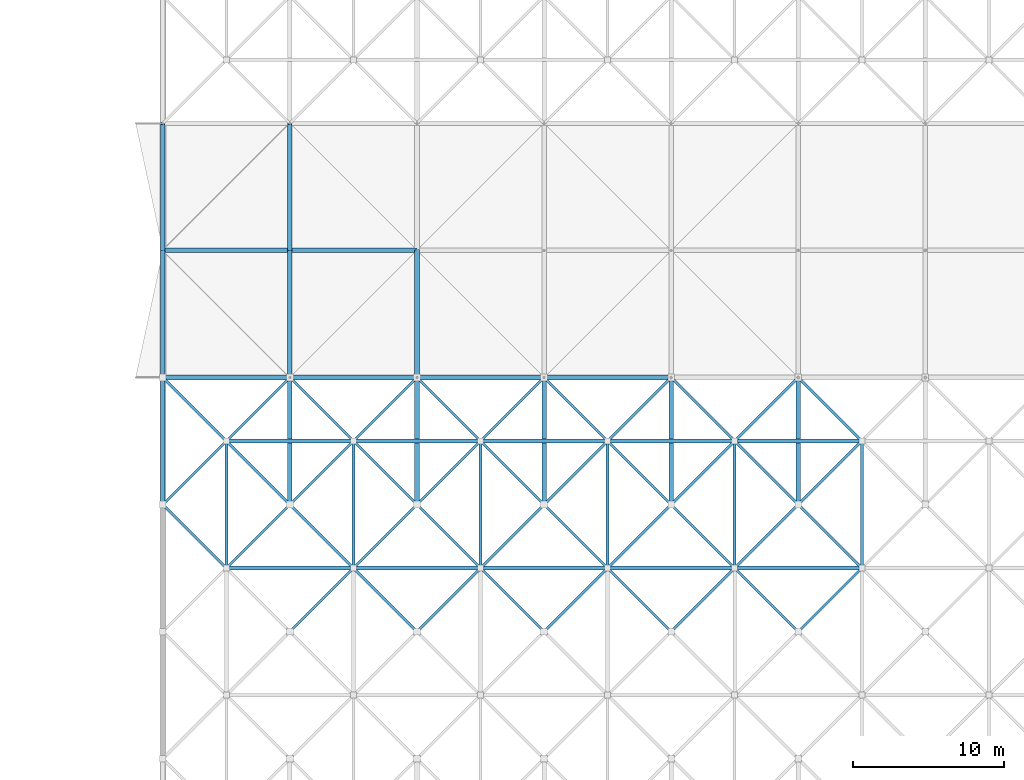
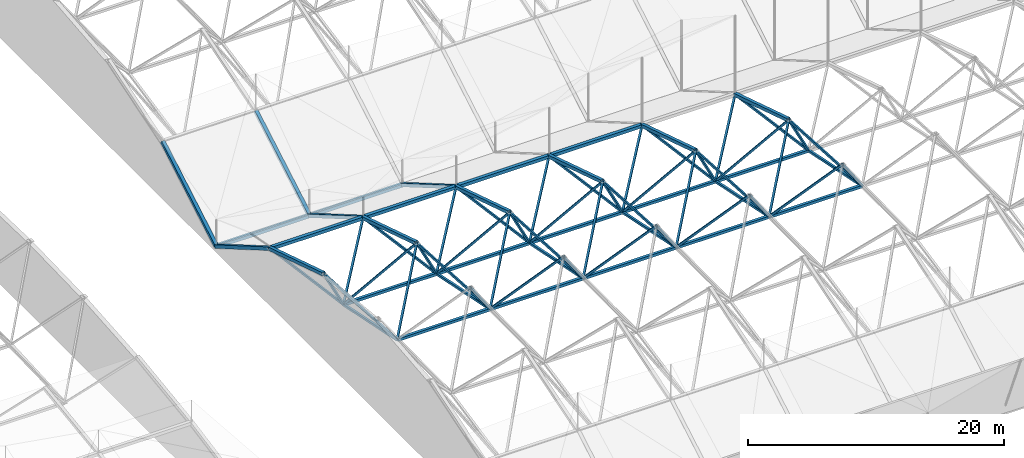
# One storey, part 10 of 111: 75 members.
"""IFC4 building model written with IfcOpenShell, lengths in metres."""

from ifc_helpers import new_model, si_unit, direction, frame, origin, origin_2d, place, context, subcontext, project, spatial, hollow_rectangle, extrude, material, material_profile, profile_set, type_object, element, save


model = new_model("IFC4")

# Units and contexts
model_context = context("Model", 3, precision=1e-05, world=origin(), true_north=direction((0.0, 1.0)))
body_context = subcontext(model_context, "Body", "Model", "MODEL_VIEW")
ifc_project = project(units=[si_unit("LENGTHUNIT", "METRE"), si_unit("AREAUNIT", "SQUARE_METRE"), si_unit("VOLUMEUNIT", "CUBIC_METRE"), si_unit("PLANEANGLEUNIT", "RADIAN"), si_unit("MASSUNIT", "GRAM", prefix="KILO")], contexts=[model_context])

# Site, building, storey
site_placement = place(None, origin())
site = spatial("IfcSite", under=ifc_project, at=site_placement, CompositionType="ELEMENT")
building_placement = place(site_placement, origin())
building = spatial("IfcBuilding", under=site, at=building_placement, Name="Rain Tree Exposition and Congress Centre", CompositionType="ELEMENT")
storey_placement = place(building_placement, frame((0.0, 0.0, 19.5)))
storey = spatial("IfcBuildingStorey", under=building, at=storey_placement, Name="RF", CompositionType="ELEMENT", Elevation=19.5)

# Members
ifc_material_1 = material(Name="Steel S355J2H", Category="steel")
ifc_material_profile_1 = material_profile(ifc_material_1, hollow_rectangle(XDim=0.175048828125, YDim=0.175048828125, WallThickness=0.006103515625, at=origin_2d()), Name="RHS 175x175x6")
ifc_profile_set_1 = profile_set([ifc_material_profile_1], Name="Steel S355J2H")
member_type_1 = type_object("IfcMemberType", Name="Steel brace member RHS 175x175x6", PredefinedType="BRACE", material=ifc_profile_set_1)
for number, where, z_axis, x_axis, name in (
    (1, (147.0, 130.199951171875, 2.68896484375), (-0.531497919506, 0.531497919506, 0.65956040142), (-0.707106781187, -0.707106781187, 0.0), "Diagonal 528"),
    (2, (147.0, 130.199951171875, 2.68896484375), (0.531497919506, 0.531497919506, 0.65956040142), (-0.707106781187, 0.707106781187, 0.0), "Diagonal 529"),
):
    element("IfcMember", number, at=place(storey_placement, frame(where, z_axis=z_axis, x_axis=x_axis)), inside=storey, type_object=member_type_1, Name=name, PredefinedType="BRACE", context=body_context, shape_type="SweptSolid", body=[
        extrude(hollow_rectangle(XDim=0.175048828125, YDim=0.175048828125, WallThickness=0.006103515625, at=origin_2d()), origin(), (0.0, 0.0, 1.0), 7.902099609375),
    ])
member_1_placement = place(storey_placement, frame((155.39990234375, 130.199951171875, 2.68896484375), z_axis=(-0.494916318018, -0.494916318018, 0.714223827885), x_axis=(0.707106781187, -0.707106781187, 0.0)))
element("IfcMember", 3, at=member_1_placement, inside=storey, type_object=member_type_1, Name="Diagonal 532", PredefinedType="BRACE", context=body_context, shape_type="SweptSolid", body=[
    extrude(hollow_rectangle(XDim=0.175048828125, YDim=0.175048828125, WallThickness=0.006103515625, at=origin_2d()), origin(), (0.0, 0.0, 1.0), 8.486083984375),
])
member_2_placement = place(storey_placement, frame((155.39990234375, 130.199951171875, 2.68896484375), z_axis=(0.494938039954, -0.494909271177, 0.714213658445), x_axis=(0.70708622964, 0.707127332136, 0.0)))
element("IfcMember", 4, at=member_2_placement, inside=storey, type_object=member_type_1, Name="Diagonal 533", PredefinedType="BRACE", context=body_context, shape_type="SweptSolid", body=[
    extrude(hollow_rectangle(XDim=0.175048828125, YDim=0.175048828125, WallThickness=0.006103515625, at=origin_2d()), origin(), (0.0, 0.0, 1.0), 8.486328125),
])
member_3_placement = place(storey_placement, frame((155.39990234375, 130.199951171875, 2.68896484375), z_axis=(-0.531497919506, 0.531497919506, 0.65956040142), x_axis=(-0.707106781187, -0.707106781187, 0.0)))
element("IfcMember", 5, at=member_3_placement, inside=storey, type_object=member_type_1, Name="Diagonal 534", PredefinedType="BRACE", context=body_context, shape_type="SweptSolid", body=[
    extrude(hollow_rectangle(XDim=0.175048828125, YDim=0.175048828125, WallThickness=0.006103515625, at=origin_2d()), origin(), (0.0, 0.0, 1.0), 7.902099609375),
])
member_4_placement = place(storey_placement, frame((155.39990234375, 130.199951171875, 2.68896484375), z_axis=(0.531520086899, 0.531489191753, 0.659549570747), x_axis=(-0.70708622964, 0.707127332136, 0.0)))
element("IfcMember", 6, at=member_4_placement, inside=storey, type_object=member_type_1, Name="Diagonal 535", PredefinedType="BRACE", context=body_context, shape_type="SweptSolid", body=[
    extrude(hollow_rectangle(XDim=0.175048828125, YDim=0.175048828125, WallThickness=0.006103515625, at=origin_2d()), origin(), (0.0, 0.0, 1.0), 7.90234375),
])
for number, where, z_axis, x_axis, name in (
    (7, (163.800048828125, 130.199951171875, 2.68896484375), (-0.494916318018, -0.494916318018, 0.714223827885), (0.707106781187, -0.707106781187, 0.0), "Diagonal 538"),
    (8, (163.800048828125, 130.199951171875, 2.68896484375), (0.494916318018, -0.494916318018, 0.714223827885), (0.707106781187, 0.707106781187, 0.0), "Diagonal 539"),
):
    element("IfcMember", number, at=place(storey_placement, frame(where, z_axis=z_axis, x_axis=x_axis)), inside=storey, type_object=member_type_1, Name=name, PredefinedType="BRACE", context=body_context, shape_type="SweptSolid", body=[
        extrude(hollow_rectangle(XDim=0.175048828125, YDim=0.175048828125, WallThickness=0.006103515625, at=origin_2d()), origin(), (0.0, 0.0, 1.0), 8.486083984375),
    ])
for number, where, z_axis, x_axis, name in (
    (9, (163.800048828125, 130.199951171875, 2.68896484375), (-0.531497919506, 0.531497919506, 0.65956040142), (-0.707106781187, -0.707106781187, 0.0), "Diagonal 540"),
    (10, (163.800048828125, 130.199951171875, 2.68896484375), (0.531497919506, 0.531497919506, 0.65956040142), (-0.707106781187, 0.707106781187, 0.0), "Diagonal 541"),
):
    element("IfcMember", number, at=place(storey_placement, frame(where, z_axis=z_axis, x_axis=x_axis)), inside=storey, type_object=member_type_1, Name=name, PredefinedType="BRACE", context=body_context, shape_type="SweptSolid", body=[
        extrude(hollow_rectangle(XDim=0.175048828125, YDim=0.175048828125, WallThickness=0.006103515625, at=origin_2d()), origin(), (0.0, 0.0, 1.0), 7.902099609375),
    ])
for number, where, z_axis, x_axis, name in (
    (11, (172.199951171875, 130.199951171875, 2.68896484375), (-0.494916318018, -0.494916318018, 0.714223827885), (0.707106781187, -0.707106781187, 0.0), "Diagonal 544"),
    (12, (172.199951171875, 130.199951171875, 2.68896484375), (0.494916318018, -0.494916318018, 0.714223827885), (0.707106781187, 0.707106781187, 0.0), "Diagonal 545"),
):
    element("IfcMember", number, at=place(storey_placement, frame(where, z_axis=z_axis, x_axis=x_axis)), inside=storey, type_object=member_type_1, Name=name, PredefinedType="BRACE", context=body_context, shape_type="SweptSolid", body=[
        extrude(hollow_rectangle(XDim=0.175048828125, YDim=0.175048828125, WallThickness=0.006103515625, at=origin_2d()), origin(), (0.0, 0.0, 1.0), 8.486083984375),
    ])
for number, where, z_axis, x_axis, name in (
    (13, (172.199951171875, 130.199951171875, 2.68896484375), (-0.531497919506, 0.531497919506, 0.65956040142), (-0.707106781187, -0.707106781187, 0.0), "Diagonal 546"),
    (14, (172.199951171875, 130.199951171875, 2.68896484375), (0.531497919506, 0.531497919506, 0.65956040142), (-0.707106781187, 0.707106781187, 0.0), "Diagonal 547"),
):
    element("IfcMember", number, at=place(storey_placement, frame(where, z_axis=z_axis, x_axis=x_axis)), inside=storey, type_object=member_type_1, Name=name, PredefinedType="BRACE", context=body_context, shape_type="SweptSolid", body=[
        extrude(hollow_rectangle(XDim=0.175048828125, YDim=0.175048828125, WallThickness=0.006103515625, at=origin_2d()), origin(), (0.0, 0.0, 1.0), 7.902099609375),
    ])
member_5_placement = place(storey_placement, frame((180.60009765625, 130.199951171875, 2.68896484375), z_axis=(-0.494938039954, -0.494909271177, 0.714213658445), x_axis=(0.70708622964, -0.707127332136, 0.0)))
element("IfcMember", 15, at=member_5_placement, inside=storey, type_object=member_type_1, Name="Diagonal 550", PredefinedType="BRACE", context=body_context, shape_type="SweptSolid", body=[
    extrude(hollow_rectangle(XDim=0.175048828125, YDim=0.175048828125, WallThickness=0.006103515625, at=origin_2d()), origin(), (0.0, 0.0, 1.0), 8.486328125),
])
member_6_placement = place(storey_placement, frame((180.60009765625, 130.199951171875, 2.68896484375), z_axis=(0.494916318018, -0.494916318018, 0.714223827885), x_axis=(0.707106781187, 0.707106781187, 0.0)))
element("IfcMember", 16, at=member_6_placement, inside=storey, type_object=member_type_1, Name="Diagonal 551", PredefinedType="BRACE", context=body_context, shape_type="SweptSolid", body=[
    extrude(hollow_rectangle(XDim=0.175048828125, YDim=0.175048828125, WallThickness=0.006103515625, at=origin_2d()), origin(), (0.0, 0.0, 1.0), 8.486083984375),
])
member_7_placement = place(storey_placement, frame((180.60009765625, 130.199951171875, 2.68896484375), z_axis=(-0.531520086899, 0.531489191753, 0.659549570747), x_axis=(-0.70708622964, -0.707127332136, 0.0)))
element("IfcMember", 17, at=member_7_placement, inside=storey, type_object=member_type_1, Name="Diagonal 552", PredefinedType="BRACE", context=body_context, shape_type="SweptSolid", body=[
    extrude(hollow_rectangle(XDim=0.175048828125, YDim=0.175048828125, WallThickness=0.006103515625, at=origin_2d()), origin(), (0.0, 0.0, 1.0), 7.90234375),
])
member_8_placement = place(storey_placement, frame((180.60009765625, 130.199951171875, 2.68896484375), z_axis=(0.531497919506, 0.531497919506, 0.65956040142), x_axis=(-0.707106781187, 0.707106781187, 0.0)))
element("IfcMember", 18, at=member_8_placement, inside=storey, type_object=member_type_1, Name="Diagonal 553", PredefinedType="BRACE", context=body_context, shape_type="SweptSolid", body=[
    extrude(hollow_rectangle(XDim=0.175048828125, YDim=0.175048828125, WallThickness=0.006103515625, at=origin_2d()), origin(), (0.0, 0.0, 1.0), 7.902099609375),
])
member_9_placement = place(storey_placement, frame((189.0, 130.199951171875, 2.68896484375), z_axis=(-0.494916318018, -0.494916318018, 0.714223827885), x_axis=(0.707106781187, -0.707106781187, 0.0)))
element("IfcMember", 19, at=member_9_placement, inside=storey, type_object=member_type_1, Name="Diagonal 556", PredefinedType="BRACE", context=body_context, shape_type="SweptSolid", body=[
    extrude(hollow_rectangle(XDim=0.175048828125, YDim=0.175048828125, WallThickness=0.006103515625, at=origin_2d()), origin(), (0.0, 0.0, 1.0), 8.486083984375),
])
member_10_placement = place(storey_placement, frame((189.0, 130.199951171875, 2.68896484375), z_axis=(-0.531497919506, 0.531497919506, 0.65956040142), x_axis=(-0.707106781187, -0.707106781187, 0.0)))
element("IfcMember", 20, at=member_10_placement, inside=storey, type_object=member_type_1, Name="Diagonal 558", PredefinedType="BRACE", context=body_context, shape_type="SweptSolid", body=[
    extrude(hollow_rectangle(XDim=0.175048828125, YDim=0.175048828125, WallThickness=0.006103515625, at=origin_2d()), origin(), (0.0, 0.0, 1.0), 7.902099609375),
])
for number, where, z_axis, x_axis, name in (
    (21, (147.0, 138.60009765625, 0.965087890625), (-0.459935103496, -0.459961839245, 0.75953591555), (0.707127332136, -0.70708622964, 0.0), "Diagonal 597"),
    (22, (147.0, 138.60009765625, 0.965087890625), (0.459935103496, -0.459961839245, 0.75953591555), (0.707127332136, 0.70708622964, 0.0), "Diagonal 598"),
):
    element("IfcMember", number, at=place(storey_placement, frame(where, z_axis=z_axis, x_axis=x_axis)), inside=storey, type_object=member_type_1, Name=name, PredefinedType="BRACE", context=body_context, shape_type="SweptSolid", body=[
        extrude(hollow_rectangle(XDim=0.175048828125, YDim=0.175048828125, WallThickness=0.006103515625, at=origin_2d()), origin(), (0.0, 0.0, 1.0), 9.131591796875),
    ])
for number, where, z_axis, x_axis, name in (
    (23, (147.0, 138.60009765625, 0.965087890625), (-0.573737145755, 0.573737145755, 0.584509516742), (-0.707106781187, -0.707106781187, 0.0), "Diagonal 599"),
    (24, (147.0, 138.60009765625, 0.965087890625), (0.573737145755, 0.573737145755, 0.584509516742), (-0.707106781187, 0.707106781187, 0.0), "Diagonal 600"),
):
    element("IfcMember", number, at=place(storey_placement, frame(where, z_axis=z_axis, x_axis=x_axis)), inside=storey, type_object=member_type_1, Name=name, PredefinedType="BRACE", context=body_context, shape_type="SweptSolid", body=[
        extrude(hollow_rectangle(XDim=0.175048828125, YDim=0.175048828125, WallThickness=0.006103515625, at=origin_2d()), origin(), (0.0, 0.0, 1.0), 7.3203125),
    ])
member_11_placement = place(storey_placement, frame((155.39990234375, 138.60009765625, 0.965087890625), z_axis=(-0.459935103496, -0.459961839245, 0.75953591555), x_axis=(0.707127332136, -0.70708622964, 0.0)))
element("IfcMember", 25, at=member_11_placement, inside=storey, type_object=member_type_1, Name="Diagonal 603", PredefinedType="BRACE", context=body_context, shape_type="SweptSolid", body=[
    extrude(hollow_rectangle(XDim=0.175048828125, YDim=0.175048828125, WallThickness=0.006103515625, at=origin_2d()), origin(), (0.0, 0.0, 1.0), 9.131591796875),
])
member_12_placement = place(storey_placement, frame((155.39990234375, 138.60009765625, 0.965087890625), z_axis=(0.459956183168, -0.459956183168, 0.759526575658), x_axis=(0.707106781187, 0.707106781187, 0.0)))
element("IfcMember", 26, at=member_12_placement, inside=storey, type_object=member_type_1, Name="Diagonal 604", PredefinedType="BRACE", context=body_context, shape_type="SweptSolid", body=[
    extrude(hollow_rectangle(XDim=0.175048828125, YDim=0.175048828125, WallThickness=0.006103515625, at=origin_2d()), origin(), (0.0, 0.0, 1.0), 9.1318359375),
])
member_13_placement = place(storey_placement, frame((155.39990234375, 138.60009765625, 0.965087890625), z_axis=(-0.573737145755, 0.573737145755, 0.584509516742), x_axis=(-0.707106781187, -0.707106781187, 0.0)))
element("IfcMember", 27, at=member_13_placement, inside=storey, type_object=member_type_1, Name="Diagonal 605", PredefinedType="BRACE", context=body_context, shape_type="SweptSolid", body=[
    extrude(hollow_rectangle(XDim=0.175048828125, YDim=0.175048828125, WallThickness=0.006103515625, at=origin_2d()), origin(), (0.0, 0.0, 1.0), 7.3203125),
])
member_14_placement = place(storey_placement, frame((155.39990234375, 138.60009765625, 0.965087890625), z_axis=(0.573759517816, 0.573726167461, 0.584498332321), x_axis=(-0.70708622964, 0.707127332136, 0.0)))
element("IfcMember", 28, at=member_14_placement, inside=storey, type_object=member_type_1, Name="Diagonal 606", PredefinedType="BRACE", context=body_context, shape_type="SweptSolid", body=[
    extrude(hollow_rectangle(XDim=0.175048828125, YDim=0.175048828125, WallThickness=0.006103515625, at=origin_2d()), origin(), (0.0, 0.0, 1.0), 7.320556640625),
])
for number, where, z_axis, x_axis, name in (
    (29, (163.800048828125, 138.60009765625, 0.965087890625), (-0.459935103496, -0.459961839245, 0.75953591555), (0.707127332136, -0.70708622964, 0.0), "Diagonal 609"),
    (30, (163.800048828125, 138.60009765625, 0.965087890625), (0.459935103496, -0.459961839245, 0.75953591555), (0.707127332136, 0.70708622964, 0.0), "Diagonal 610"),
):
    element("IfcMember", number, at=place(storey_placement, frame(where, z_axis=z_axis, x_axis=x_axis)), inside=storey, type_object=member_type_1, Name=name, PredefinedType="BRACE", context=body_context, shape_type="SweptSolid", body=[
        extrude(hollow_rectangle(XDim=0.175048828125, YDim=0.175048828125, WallThickness=0.006103515625, at=origin_2d()), origin(), (0.0, 0.0, 1.0), 9.131591796875),
    ])
for number, where, z_axis, x_axis, name in (
    (31, (163.800048828125, 138.60009765625, 0.965087890625), (-0.573737145755, 0.573737145755, 0.584509516742), (-0.707106781187, -0.707106781187, 0.0), "Diagonal 611"),
    (32, (163.800048828125, 138.60009765625, 0.965087890625), (0.573737145755, 0.573737145755, 0.584509516742), (-0.707106781187, 0.707106781187, 0.0), "Diagonal 612"),
):
    element("IfcMember", number, at=place(storey_placement, frame(where, z_axis=z_axis, x_axis=x_axis)), inside=storey, type_object=member_type_1, Name=name, PredefinedType="BRACE", context=body_context, shape_type="SweptSolid", body=[
        extrude(hollow_rectangle(XDim=0.175048828125, YDim=0.175048828125, WallThickness=0.006103515625, at=origin_2d()), origin(), (0.0, 0.0, 1.0), 7.3203125),
    ])
for number, where, z_axis, x_axis, name in (
    (33, (172.199951171875, 138.60009765625, 0.965087890625), (-0.459935103496, -0.459961839245, 0.75953591555), (0.707127332136, -0.70708622964, 0.0), "Diagonal 615"),
    (34, (172.199951171875, 138.60009765625, 0.965087890625), (0.459935103496, -0.459961839245, 0.75953591555), (0.707127332136, 0.70708622964, 0.0), "Diagonal 616"),
):
    element("IfcMember", number, at=place(storey_placement, frame(where, z_axis=z_axis, x_axis=x_axis)), inside=storey, type_object=member_type_1, Name=name, PredefinedType="BRACE", context=body_context, shape_type="SweptSolid", body=[
        extrude(hollow_rectangle(XDim=0.175048828125, YDim=0.175048828125, WallThickness=0.006103515625, at=origin_2d()), origin(), (0.0, 0.0, 1.0), 9.131591796875),
    ])
for number, where, z_axis, x_axis, name in (
    (35, (172.199951171875, 138.60009765625, 0.965087890625), (-0.573737145755, 0.573737145755, 0.584509516742), (-0.707106781187, -0.707106781187, 0.0), "Diagonal 617"),
    (36, (172.199951171875, 138.60009765625, 0.965087890625), (0.573737145755, 0.573737145755, 0.584509516742), (-0.707106781187, 0.707106781187, 0.0), "Diagonal 618"),
):
    element("IfcMember", number, at=place(storey_placement, frame(where, z_axis=z_axis, x_axis=x_axis)), inside=storey, type_object=member_type_1, Name=name, PredefinedType="BRACE", context=body_context, shape_type="SweptSolid", body=[
        extrude(hollow_rectangle(XDim=0.175048828125, YDim=0.175048828125, WallThickness=0.006103515625, at=origin_2d()), origin(), (0.0, 0.0, 1.0), 7.3203125),
    ])
member_15_placement = place(storey_placement, frame((180.60009765625, 138.60009765625, 0.965087890625), z_axis=(-0.459956183168, -0.459956183168, 0.759526575658), x_axis=(0.707106781187, -0.707106781187, 0.0)))
element("IfcMember", 37, at=member_15_placement, inside=storey, type_object=member_type_1, Name="Diagonal 621", PredefinedType="BRACE", context=body_context, shape_type="SweptSolid", body=[
    extrude(hollow_rectangle(XDim=0.175048828125, YDim=0.175048828125, WallThickness=0.006103515625, at=origin_2d()), origin(), (0.0, 0.0, 1.0), 9.1318359375),
])
member_16_placement = place(storey_placement, frame((180.60009765625, 138.60009765625, 0.965087890625), z_axis=(0.459935103496, -0.459961839245, 0.75953591555), x_axis=(0.707127332136, 0.70708622964, 0.0)))
element("IfcMember", 38, at=member_16_placement, inside=storey, type_object=member_type_1, Name="Diagonal 622", PredefinedType="BRACE", context=body_context, shape_type="SweptSolid", body=[
    extrude(hollow_rectangle(XDim=0.175048828125, YDim=0.175048828125, WallThickness=0.006103515625, at=origin_2d()), origin(), (0.0, 0.0, 1.0), 9.131591796875),
])
member_17_placement = place(storey_placement, frame((180.60009765625, 138.60009765625, 0.965087890625), z_axis=(-0.573759517816, 0.573726167461, 0.584498332321), x_axis=(-0.70708622964, -0.707127332136, 0.0)))
element("IfcMember", 39, at=member_17_placement, inside=storey, type_object=member_type_1, Name="Diagonal 623", PredefinedType="BRACE", context=body_context, shape_type="SweptSolid", body=[
    extrude(hollow_rectangle(XDim=0.175048828125, YDim=0.175048828125, WallThickness=0.006103515625, at=origin_2d()), origin(), (0.0, 0.0, 1.0), 7.320556640625),
])
member_18_placement = place(storey_placement, frame((180.60009765625, 138.60009765625, 0.965087890625), z_axis=(0.573737145755, 0.573737145755, 0.584509516742), x_axis=(-0.707106781187, 0.707106781187, 0.0)))
element("IfcMember", 40, at=member_18_placement, inside=storey, type_object=member_type_1, Name="Diagonal 624", PredefinedType="BRACE", context=body_context, shape_type="SweptSolid", body=[
    extrude(hollow_rectangle(XDim=0.175048828125, YDim=0.175048828125, WallThickness=0.006103515625, at=origin_2d()), origin(), (0.0, 0.0, 1.0), 7.3203125),
])
member_19_placement = place(storey_placement, frame((189.0, 138.60009765625, 0.965087890625), z_axis=(-0.459935103496, -0.459961839245, 0.75953591555), x_axis=(0.707127332136, -0.70708622964, 0.0)))
element("IfcMember", 41, at=member_19_placement, inside=storey, type_object=member_type_1, Name="Diagonal 627", PredefinedType="BRACE", context=body_context, shape_type="SweptSolid", body=[
    extrude(hollow_rectangle(XDim=0.175048828125, YDim=0.175048828125, WallThickness=0.006103515625, at=origin_2d()), origin(), (0.0, 0.0, 1.0), 9.131591796875),
])
member_20_placement = place(storey_placement, frame((189.0, 138.60009765625, 0.965087890625), z_axis=(-0.573737145755, 0.573737145755, 0.584509516742), x_axis=(-0.707106781187, -0.707106781187, 0.0)))
element("IfcMember", 42, at=member_20_placement, inside=storey, type_object=member_type_1, Name="Diagonal 629", PredefinedType="BRACE", context=body_context, shape_type="SweptSolid", body=[
    extrude(hollow_rectangle(XDim=0.175048828125, YDim=0.175048828125, WallThickness=0.006103515625, at=origin_2d()), origin(), (0.0, 0.0, 1.0), 7.3203125),
])
ifc_material_2 = material(Name="Steel S355J2H", Category="steel")
ifc_material_profile_2 = material_profile(ifc_material_2, hollow_rectangle(XDim=0.199951171875, YDim=0.199951171875, WallThickness=0.009033203125, at=origin_2d()), Name="RHS 200x200x9")
ifc_profile_set_2 = profile_set([ifc_material_profile_2], Name="Steel S355J2H")
member_type_2 = type_object("IfcMemberType", Name="Steel chord member RHS 200x200x9", PredefinedType="CHORD", material=ifc_profile_set_2)
for number, where, z_axis, x_axis, name in (
    (43, (147.0, 130.199951171875, 2.68896484375), (0.0, 0.979585021781, -0.201030308914), (-1.0, 0.0, 0.0), "Bottom chord 531"),
    (44, (155.39990234375, 130.199951171875, 2.68896484375), (0.0, 0.979585021781, -0.201030308914), (-1.0, 0.0, 0.0), "Bottom chord 537"),
    (45, (163.800048828125, 130.199951171875, 2.68896484375), (0.0, 0.979585021781, -0.201030308914), (-1.0, 0.0, 0.0), "Bottom chord 543"),
    (46, (172.199951171875, 130.199951171875, 2.68896484375), (0.0, 0.979585021781, -0.201030308914), (-1.0, 0.0, 0.0), "Bottom chord 549"),
    (47, (180.60009765625, 130.199951171875, 2.68896484375), (0.0, 0.979585021781, -0.201030308914), (-1.0, 0.0, 0.0), "Bottom chord 555"),
    (48, (189.0, 130.199951171875, 2.68896484375), (0.0, 0.979585021781, -0.201030308914), (-1.0, 0.0, 0.0), "Bottom chord 561"),
):
    element("IfcMember", number, at=place(storey_placement, frame(where, z_axis=z_axis, x_axis=x_axis)), inside=storey, type_object=member_type_2, Name=name, PredefinedType="CHORD", context=body_context, shape_type="SweptSolid", body=[
        extrude(hollow_rectangle(XDim=0.199951171875, YDim=0.199951171875, WallThickness=0.009033203125, at=origin_2d()), origin(), (0.0, 0.0, 1.0), 8.5751953125),
    ])
ifc_material_3 = material(Name="Steel S355J2H", Category="steel")
ifc_material_profile_3 = material_profile(ifc_material_3, hollow_rectangle(XDim=0.25, YDim=0.25, WallThickness=0.006103515625, at=origin_2d()), Name="RHS 250x250x6")
ifc_profile_set_3 = profile_set([ifc_material_profile_3], Name="Steel S355J2H")
member_type_3 = type_object("IfcMemberType", Name="Steel chord member RHS 250x250x6", PredefinedType="CHORD", material=ifc_profile_set_3)
member_21_placement = place(storey_placement, frame((147.0, 130.199951171875, 2.68896484375), z_axis=(1.0, 0.0, 0.0), x_axis=(0.0, 1.0, 0.0)))
element("IfcMember", 49, at=member_21_placement, inside=storey, type_object=member_type_3, Name="Bottom chord 530", PredefinedType="CHORD", context=body_context, shape_type="SweptSolid", body=[
    extrude(hollow_rectangle(XDim=0.25, YDim=0.25, WallThickness=0.006103515625, at=origin_2d()), origin(), (0.0, 0.0, 1.0), 8.39990234375),
])
member_22_placement = place(storey_placement, frame((155.39990234375, 130.199951171875, 2.68896484375), z_axis=(1.0, 0.0, 0.0), x_axis=(0.0, 1.0, 0.0)))
element("IfcMember", 50, at=member_22_placement, inside=storey, type_object=member_type_3, Name="Bottom chord 536", PredefinedType="CHORD", context=body_context, shape_type="SweptSolid", body=[
    extrude(hollow_rectangle(XDim=0.25, YDim=0.25, WallThickness=0.006103515625, at=origin_2d()), origin(), (0.0, 0.0, 1.0), 8.400146484375),
])
member_23_placement = place(storey_placement, frame((163.800048828125, 130.199951171875, 2.68896484375), z_axis=(1.0, 0.0, 0.0), x_axis=(0.0, 1.0, 0.0)))
element("IfcMember", 51, at=member_23_placement, inside=storey, type_object=member_type_3, Name="Bottom chord 542", PredefinedType="CHORD", context=body_context, shape_type="SweptSolid", body=[
    extrude(hollow_rectangle(XDim=0.25, YDim=0.25, WallThickness=0.006103515625, at=origin_2d()), origin(), (0.0, 0.0, 1.0), 8.39990234375),
])
member_24_placement = place(storey_placement, frame((172.199951171875, 130.199951171875, 2.68896484375), z_axis=(1.0, 0.0, 0.0), x_axis=(0.0, 1.0, 0.0)))
element("IfcMember", 52, at=member_24_placement, inside=storey, type_object=member_type_3, Name="Bottom chord 548", PredefinedType="CHORD", context=body_context, shape_type="SweptSolid", body=[
    extrude(hollow_rectangle(XDim=0.25, YDim=0.25, WallThickness=0.006103515625, at=origin_2d()), origin(), (0.0, 0.0, 1.0), 8.400146484375),
])
for number, where, z_axis, x_axis, name in (
    (53, (180.60009765625, 130.199951171875, 2.68896484375), (1.0, 0.0, 0.0), (0.0, 1.0, 0.0), "Bottom chord 554"),
    (54, (147.0, 138.60009765625, 0.965087890625), (1.0, 0.0, 0.0), (0.0, 1.0, 0.0), "Bottom chord 601"),
):
    element("IfcMember", number, at=place(storey_placement, frame(where, z_axis=z_axis, x_axis=x_axis)), inside=storey, type_object=member_type_3, Name=name, PredefinedType="CHORD", context=body_context, shape_type="SweptSolid", body=[
        extrude(hollow_rectangle(XDim=0.25, YDim=0.25, WallThickness=0.006103515625, at=origin_2d()), origin(), (0.0, 0.0, 1.0), 8.39990234375),
    ])
member_25_placement = place(storey_placement, frame((155.39990234375, 138.60009765625, 0.965087890625), z_axis=(1.0, 0.0, 0.0), x_axis=(0.0, 1.0, 0.0)))
element("IfcMember", 55, at=member_25_placement, inside=storey, type_object=member_type_3, Name="Bottom chord 607", PredefinedType="CHORD", context=body_context, shape_type="SweptSolid", body=[
    extrude(hollow_rectangle(XDim=0.25, YDim=0.25, WallThickness=0.006103515625, at=origin_2d()), origin(), (0.0, 0.0, 1.0), 8.400146484375),
])
member_26_placement = place(storey_placement, frame((163.800048828125, 138.60009765625, 0.965087890625), z_axis=(1.0, 0.0, 0.0), x_axis=(0.0, 1.0, 0.0)))
element("IfcMember", 56, at=member_26_placement, inside=storey, type_object=member_type_3, Name="Bottom chord 613", PredefinedType="CHORD", context=body_context, shape_type="SweptSolid", body=[
    extrude(hollow_rectangle(XDim=0.25, YDim=0.25, WallThickness=0.006103515625, at=origin_2d()), origin(), (0.0, 0.0, 1.0), 8.39990234375),
])
member_27_placement = place(storey_placement, frame((172.199951171875, 138.60009765625, 0.965087890625), z_axis=(1.0, 0.0, 0.0), x_axis=(0.0, 1.0, 0.0)))
element("IfcMember", 57, at=member_27_placement, inside=storey, type_object=member_type_3, Name="Bottom chord 619", PredefinedType="CHORD", context=body_context, shape_type="SweptSolid", body=[
    extrude(hollow_rectangle(XDim=0.25, YDim=0.25, WallThickness=0.006103515625, at=origin_2d()), origin(), (0.0, 0.0, 1.0), 8.400146484375),
])
member_28_placement = place(storey_placement, frame((180.60009765625, 138.60009765625, 0.965087890625), z_axis=(1.0, 0.0, 0.0), x_axis=(0.0, 1.0, 0.0)))
element("IfcMember", 58, at=member_28_placement, inside=storey, type_object=member_type_3, Name="Bottom chord 625", PredefinedType="CHORD", context=body_context, shape_type="SweptSolid", body=[
    extrude(hollow_rectangle(XDim=0.25, YDim=0.25, WallThickness=0.006103515625, at=origin_2d()), origin(), (0.0, 0.0, 1.0), 8.39990234375),
])
ifc_material_4 = material(Name="Steel S355J2H", Category="steel")
ifc_material_profile_4 = material_profile(ifc_material_4, hollow_rectangle(XDim=0.300048828125, YDim=0.300048828125, WallThickness=0.009033203125, at=origin_2d()), Name="RHS 300x300x9")
ifc_profile_set_4 = profile_set([ifc_material_profile_4], Name="Steel S355J2H")
member_type_4 = type_object("IfcMemberType", Name="Steel chord member RHS 300x300x9", PredefinedType="CHORD", material=ifc_profile_set_4)
member_29_placement = place(storey_placement, frame((142.800048828125, 142.800048828125, 5.243896484375), z_axis=(1.0, 0.0, 0.0), x_axis=(0.0, 1.0, 0.0)))
element("IfcMember", 59, at=member_29_placement, inside=storey, type_object=member_type_4, Name="Top chord 61", PredefinedType="CHORD", context=body_context, shape_type="SweptSolid", body=[
    extrude(hollow_rectangle(XDim=0.300048828125, YDim=0.300048828125, WallThickness=0.009033203125, at=origin_2d()), origin(), (0.0, 0.0, 1.0), 8.39990234375),
])
member_30_placement = place(storey_placement, frame((151.199951171875, 142.800048828125, 5.243896484375), z_axis=(1.0, 0.0, 0.0), x_axis=(0.0, 1.0, 0.0)))
element("IfcMember", 60, at=member_30_placement, inside=storey, type_object=member_type_4, Name="Top chord 62", PredefinedType="CHORD", context=body_context, shape_type="SweptSolid", body=[
    extrude(hollow_rectangle(XDim=0.300048828125, YDim=0.300048828125, WallThickness=0.009033203125, at=origin_2d()), origin(), (0.0, 0.0, 1.0), 8.400146484375),
])
for number, where, z_axis, x_axis, name in (
    (61, (159.60009765625, 142.800048828125, 5.243896484375), (1.0, 0.0, 0.0), (0.0, 1.0, 0.0), "Top chord 63"),
    (62, (168.0, 142.800048828125, 5.243896484375), (1.0, 0.0, 0.0), (0.0, 1.0, 0.0), "Top chord 64"),
    (63, (142.800048828125, 151.199951171875, 0.35009765625), (1.0, 0.0, 0.0), (0.0, 1.0, 0.0), "Top chord 73"),
):
    element("IfcMember", number, at=place(storey_placement, frame(where, z_axis=z_axis, x_axis=x_axis)), inside=storey, type_object=member_type_4, Name=name, PredefinedType="CHORD", context=body_context, shape_type="SweptSolid", body=[
        extrude(hollow_rectangle(XDim=0.300048828125, YDim=0.300048828125, WallThickness=0.009033203125, at=origin_2d()), origin(), (0.0, 0.0, 1.0), 8.39990234375),
    ])
member_31_placement = place(storey_placement, frame((151.199951171875, 151.199951171875, 0.35009765625), z_axis=(1.0, 0.0, 0.0), x_axis=(0.0, 1.0, 0.0)))
element("IfcMember", 64, at=member_31_placement, inside=storey, type_object=member_type_4, Name="Top chord 74", PredefinedType="CHORD", context=body_context, shape_type="SweptSolid", body=[
    extrude(hollow_rectangle(XDim=0.300048828125, YDim=0.300048828125, WallThickness=0.009033203125, at=origin_2d()), origin(), (0.0, 0.0, 1.0), 8.400146484375),
])
member_32_placement = place(storey_placement, frame((142.800048828125, 134.39990234375, 7.90087890625), z_axis=(0.0, 0.953442263101, -0.301575613955), x_axis=(-1.0, 0.0, 0.0)))
element("IfcMember", 65, at=member_32_placement, inside=storey, type_object=member_type_4, Name="Top chord 161", PredefinedType="CHORD", context=body_context, shape_type="SweptSolid", body=[
    extrude(hollow_rectangle(XDim=0.300048828125, YDim=0.300048828125, WallThickness=0.009033203125, at=origin_2d()), origin(), (0.0, 0.0, 1.0), 8.810302734375),
])
member_33_placement = place(storey_placement, frame((142.800048828125, 142.800048828125, 5.243896484375), z_axis=(0.0, 0.864053849191, -0.503399389846), x_axis=(-1.0, 0.0, 0.0)))
element("IfcMember", 66, at=member_33_placement, inside=storey, type_object=member_type_4, Name="Top chord 162", PredefinedType="CHORD", context=body_context, shape_type="SweptSolid", body=[
    extrude(hollow_rectangle(XDim=0.300048828125, YDim=0.300048828125, WallThickness=0.009033203125, at=origin_2d()), origin(), (0.0, 0.0, 1.0), 9.721435546875),
])
member_34_placement = place(storey_placement, frame((142.800048828125, 151.199951171875, 0.35009765625), z_axis=(0.0, 0.864060213011, 0.503388466585), x_axis=(-1.0, 0.0, 0.0)))
element("IfcMember", 67, at=member_34_placement, inside=storey, type_object=member_type_4, Name="Top chord 163", PredefinedType="CHORD", context=body_context, shape_type="SweptSolid", body=[
    extrude(hollow_rectangle(XDim=0.300048828125, YDim=0.300048828125, WallThickness=0.009033203125, at=origin_2d()), origin(), (0.0, 0.0, 1.0), 9.7216796875),
])
member_35_placement = place(storey_placement, frame((151.199951171875, 134.39990234375, 7.90087890625), z_axis=(0.0, 0.953442263101, -0.301575613955), x_axis=(-1.0, 0.0, 0.0)))
element("IfcMember", 68, at=member_35_placement, inside=storey, type_object=member_type_4, Name="Top chord 173", PredefinedType="CHORD", context=body_context, shape_type="SweptSolid", body=[
    extrude(hollow_rectangle(XDim=0.300048828125, YDim=0.300048828125, WallThickness=0.009033203125, at=origin_2d()), origin(), (0.0, 0.0, 1.0), 8.810302734375),
])
member_36_placement = place(storey_placement, frame((151.199951171875, 142.800048828125, 5.243896484375), z_axis=(0.0, 0.864053849191, -0.503399389846), x_axis=(-1.0, 0.0, 0.0)))
element("IfcMember", 69, at=member_36_placement, inside=storey, type_object=member_type_4, Name="Top chord 174", PredefinedType="CHORD", context=body_context, shape_type="SweptSolid", body=[
    extrude(hollow_rectangle(XDim=0.300048828125, YDim=0.300048828125, WallThickness=0.009033203125, at=origin_2d()), origin(), (0.0, 0.0, 1.0), 9.721435546875),
])
member_37_placement = place(storey_placement, frame((151.199951171875, 151.199951171875, 0.35009765625), z_axis=(0.0, 0.864060213011, 0.503388466585), x_axis=(-1.0, 0.0, 0.0)))
element("IfcMember", 70, at=member_37_placement, inside=storey, type_object=member_type_4, Name="Top chord 175", PredefinedType="CHORD", context=body_context, shape_type="SweptSolid", body=[
    extrude(hollow_rectangle(XDim=0.300048828125, YDim=0.300048828125, WallThickness=0.009033203125, at=origin_2d()), origin(), (0.0, 0.0, 1.0), 9.7216796875),
])
member_38_placement = place(storey_placement, frame((159.60009765625, 134.39990234375, 7.90087890625), z_axis=(0.0, 0.953442263101, -0.301575613955), x_axis=(-1.0, 0.0, 0.0)))
element("IfcMember", 71, at=member_38_placement, inside=storey, type_object=member_type_4, Name="Top chord 185", PredefinedType="CHORD", context=body_context, shape_type="SweptSolid", body=[
    extrude(hollow_rectangle(XDim=0.300048828125, YDim=0.300048828125, WallThickness=0.009033203125, at=origin_2d()), origin(), (0.0, 0.0, 1.0), 8.810302734375),
])
member_39_placement = place(storey_placement, frame((159.60009765625, 142.800048828125, 5.243896484375), z_axis=(0.0, 0.864053849191, -0.503399389846), x_axis=(-1.0, 0.0, 0.0)))
element("IfcMember", 72, at=member_39_placement, inside=storey, type_object=member_type_4, Name="Top chord 186", PredefinedType="CHORD", context=body_context, shape_type="SweptSolid", body=[
    extrude(hollow_rectangle(XDim=0.300048828125, YDim=0.300048828125, WallThickness=0.009033203125, at=origin_2d()), origin(), (0.0, 0.0, 1.0), 9.721435546875),
])
for number, where, z_axis, x_axis, name in (
    (73, (168.0, 134.39990234375, 7.90087890625), (0.0, 0.953442263101, -0.301575613955), (-1.0, 0.0, 0.0), "Top chord 197"),
    (74, (176.39990234375, 134.39990234375, 7.90087890625), (0.0, 0.953442263101, -0.301575613955), (-1.0, 0.0, 0.0), "Top chord 209"),
    (75, (184.800048828125, 134.39990234375, 7.90087890625), (0.0, 0.953442263101, -0.301575613955), (-1.0, 0.0, 0.0), "Top chord 221"),
):
    element("IfcMember", number, at=place(storey_placement, frame(where, z_axis=z_axis, x_axis=x_axis)), inside=storey, type_object=member_type_4, Name=name, PredefinedType="CHORD", context=body_context, shape_type="SweptSolid", body=[
        extrude(hollow_rectangle(XDim=0.300048828125, YDim=0.300048828125, WallThickness=0.009033203125, at=origin_2d()), origin(), (0.0, 0.0, 1.0), 8.810302734375),
    ])

save(model, "model.ifc")
